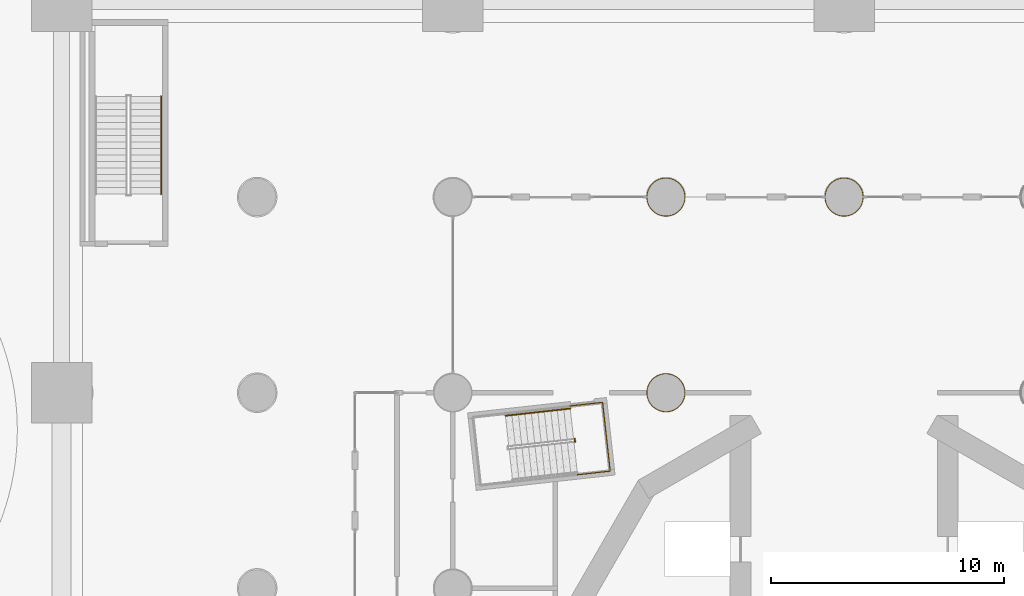
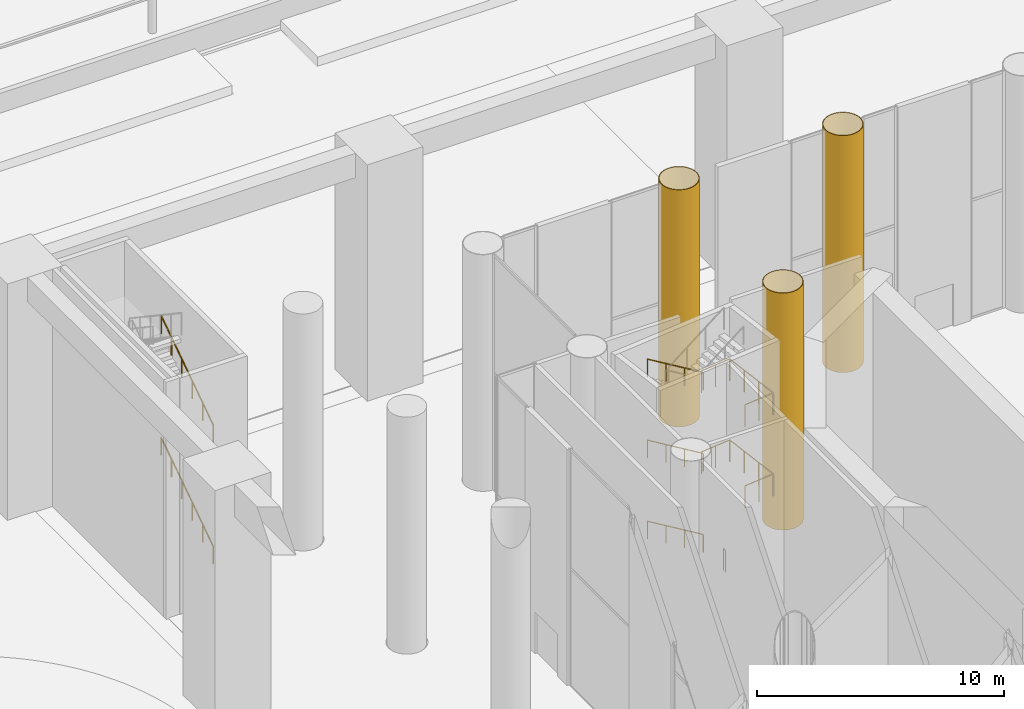
# One storey, part 42 of 52: 8 railings, 3 coverings.
"""IFC4 building model written with IfcOpenShell, lengths in metres."""

from ifc_helpers import new_model, si_unit, direction, frame, origin, origin_2d, place, context, subcontext, project, spatial, polyline, circle, outline, extrude, material, layer, layer_set, type_object, element, save


model = new_model("IFC4")

# Units and contexts
model_context = context("Model", 3, precision=1e-05, world=origin(), true_north=direction((0.0, 1.0)))
body_context = subcontext(model_context, "Body", "Model", "MODEL_VIEW")
ifc_project = project(units=[si_unit("LENGTHUNIT", "METRE"), si_unit("AREAUNIT", "SQUARE_METRE"), si_unit("VOLUMEUNIT", "CUBIC_METRE"), si_unit("PLANEANGLEUNIT", "RADIAN"), si_unit("MASSUNIT", "GRAM", prefix="KILO")], contexts=[model_context])

# Site, building, storey
site_placement = place(None, origin())
site = spatial("IfcSite", under=ifc_project, at=site_placement, CompositionType="ELEMENT")
building_placement = place(site_placement, origin())
building = spatial("IfcBuilding", under=site, at=building_placement, Name="Cantera Rosa Tower", CompositionType="ELEMENT")
storey_placement = place(building_placement, origin())
storey = spatial("IfcBuildingStorey", under=building, at=storey_placement, Name="L00", CompositionType="ELEMENT", Elevation=0.0)

# Coverings
ifc_material_1 = material(Name="Plaster")
ifc_layer = layer(ifc_material_1, 0.030029296875)
ifc_layer_set = layer_set([ifc_layer], Name="Column casing 30")
covering_type = type_object("IfcCoveringType", Name="Column casing 30", PredefinedType="CLADDING", material=ifc_layer_set)
covering_1_placement = place(storey_placement, origin())
element("IfcCovering", 1, at=covering_1_placement, inside=storey, type_object=covering_type, Name="Column casing L00-009", PredefinedType="CLADDING", context=body_context, shape_type="SweptSolid", body=[
    extrude(outline(polyline([(-6.823974609375, 12.5185546875), (-6.820068359375, 12.60009765625), (-6.823974609375, 12.681396484375), (-6.8359375, 12.761962890625), (-6.855712890625, 12.8408203125), (-6.88330078125, 12.91748046875), (-6.91796875, 12.9912109375), (-6.9599609375, 13.06103515625), (-7.00830078125, 13.12646484375), (-7.06298828125, 13.18701171875), (-7.12353515625, 13.24169921875), (-7.18896484375, 13.2900390625), (-7.2587890625, 13.33203125), (-7.33251953125, 13.36669921875), (-7.4091796875, 13.394287109375), (-7.488037109375, 13.4140625), (-7.568603515625, 13.426025390625), (-7.64990234375, 13.429931640625), (-7.7314453125, 13.426025390625), (-7.81201171875, 13.4140625), (-7.890869140625, 13.394287109375), (-7.967529296875, 13.36669921875), (-8.041259765625, 13.33203125), (-8.111083984375, 13.2900390625), (-8.176513671875, 13.24169921875), (-8.23681640625, 13.18701171875), (-8.29150390625, 13.12646484375), (-8.340087890625, 13.06103515625), (-8.382080078125, 12.9912109375), (-8.416748046875, 12.91748046875), (-8.4443359375, 12.8408203125), (-8.464111328125, 12.761962890625), (-8.47607421875, 12.681396484375), (-8.47998046875, 12.60009765625), (-8.47607421875, 12.5185546875), (-8.464111328125, 12.43798828125), (-8.4443359375, 12.359130859375), (-8.416748046875, 12.282470703125), (-8.382080078125, 12.208740234375), (-8.340087890625, 12.138916015625), (-8.29150390625, 12.073486328125), (-8.23681640625, 12.01318359375), (-8.176513671875, 11.95849609375), (-8.111083984375, 11.909912109375), (-8.041259765625, 11.867919921875), (-7.967529296875, 11.833251953125), (-7.890869140625, 11.8056640625), (-7.81201171875, 11.785888671875), (-7.7314453125, 11.77392578125), (-7.64990234375, 11.77001953125), (-7.568603515625, 11.77392578125), (-7.488037109375, 11.785888671875), (-7.4091796875, 11.8056640625), (-7.33251953125, 11.833251953125), (-7.2587890625, 11.867919921875), (-7.18896484375, 11.909912109375), (-7.12353515625, 11.95849609375), (-7.06298828125, 12.01318359375), (-7.00830078125, 12.073486328125), (-6.9599609375, 12.138916015625), (-6.91796875, 12.208740234375), (-6.88330078125, 12.282470703125), (-6.855712890625, 12.359130859375), (-6.8359375, 12.43798828125), (-6.823974609375, 12.5185546875)]), holes=[polyline([(-6.85400390625, 12.678466796875), (-6.865478515625, 12.756103515625), (-6.884521484375, 12.832275390625), (-6.910888671875, 12.906005859375), (-6.944580078125, 12.97705078125), (-6.98486328125, 13.04443359375), (-7.031494140625, 13.107421875), (-7.084228515625, 13.165771484375), (-7.142578125, 13.218505859375), (-7.20556640625, 13.26513671875), (-7.27294921875, 13.305419921875), (-7.343994140625, 13.339111328125), (-7.417724609375, 13.365478515625), (-7.493896484375, 13.384521484375), (-7.571533203125, 13.39599609375), (-7.64990234375, 13.39990234375), (-7.728515625, 13.39599609375), (-7.80615234375, 13.384521484375), (-7.882080078125, 13.365478515625), (-7.9560546875, 13.339111328125), (-8.027099609375, 13.305419921875), (-8.094482421875, 13.26513671875), (-8.157470703125, 13.218505859375), (-8.2158203125, 13.165771484375), (-8.268310546875, 13.107421875), (-8.315185546875, 13.04443359375), (-8.35546875, 12.97705078125), (-8.38916015625, 12.906005859375), (-8.41552734375, 12.832275390625), (-8.4345703125, 12.756103515625), (-8.446044921875, 12.678466796875), (-8.449951171875, 12.60009765625), (-8.446044921875, 12.521484375), (-8.4345703125, 12.44384765625), (-8.41552734375, 12.367919921875), (-8.38916015625, 12.2939453125), (-8.35546875, 12.222900390625), (-8.315185546875, 12.155517578125), (-8.268310546875, 12.092529296875), (-8.2158203125, 12.0341796875), (-8.157470703125, 11.981689453125), (-8.094482421875, 11.934814453125), (-8.027099609375, 11.89453125), (-7.9560546875, 11.86083984375), (-7.882080078125, 11.83447265625), (-7.80615234375, 11.8154296875), (-7.728515625, 11.803955078125), (-7.64990234375, 11.800048828125), (-7.571533203125, 11.803955078125), (-7.493896484375, 11.8154296875), (-7.417724609375, 11.83447265625), (-7.343994140625, 11.86083984375), (-7.27294921875, 11.89453125), (-7.20556640625, 11.934814453125), (-7.142578125, 11.981689453125), (-7.084228515625, 12.0341796875), (-7.031494140625, 12.092529296875), (-6.98486328125, 12.155517578125), (-6.944580078125, 12.222900390625), (-6.910888671875, 12.2939453125), (-6.884521484375, 12.367919921875), (-6.865478515625, 12.44384765625), (-6.85400390625, 12.521484375), (-6.85009765625, 12.60009765625), (-6.85400390625, 12.678466796875)])]), origin(), (0.0, 0.0, 1.0), 11.699951171875),
])
covering_2_placement = place(storey_placement, origin())
element("IfcCovering", 2, at=covering_2_placement, inside=storey, type_object=covering_type, Name="Column casing L00-010", PredefinedType="CLADDING", context=body_context, shape_type="SweptSolid", body=[
    extrude(outline(polyline([(-6.823974609375, 20.918701171875), (-6.820068359375, 21.0), (-6.823974609375, 21.081298828125), (-6.8359375, 21.161865234375), (-6.855712890625, 21.240966796875), (-6.88330078125, 21.317626953125), (-6.91796875, 21.391357421875), (-6.9599609375, 21.461181640625), (-7.00830078125, 21.526611328125), (-7.06298828125, 21.5869140625), (-7.12353515625, 21.6416015625), (-7.18896484375, 21.690185546875), (-7.2587890625, 21.73193359375), (-7.33251953125, 21.766845703125), (-7.4091796875, 21.794189453125), (-7.488037109375, 21.814208984375), (-7.568603515625, 21.825927734375), (-7.64990234375, 21.830078125), (-7.7314453125, 21.825927734375), (-7.81201171875, 21.814208984375), (-7.890869140625, 21.794189453125), (-7.967529296875, 21.766845703125), (-8.041259765625, 21.73193359375), (-8.111083984375, 21.690185546875), (-8.176513671875, 21.6416015625), (-8.23681640625, 21.5869140625), (-8.29150390625, 21.526611328125), (-8.340087890625, 21.461181640625), (-8.382080078125, 21.391357421875), (-8.416748046875, 21.317626953125), (-8.4443359375, 21.240966796875), (-8.464111328125, 21.161865234375), (-8.47607421875, 21.081298828125), (-8.47998046875, 21.0), (-8.47607421875, 20.918701171875), (-8.464111328125, 20.838134765625), (-8.4443359375, 20.759033203125), (-8.416748046875, 20.682373046875), (-8.382080078125, 20.608642578125), (-8.340087890625, 20.538818359375), (-8.29150390625, 20.473388671875), (-8.23681640625, 20.4130859375), (-8.176513671875, 20.3583984375), (-8.111083984375, 20.309814453125), (-8.041259765625, 20.26806640625), (-7.967529296875, 20.233154296875), (-7.890869140625, 20.205810546875), (-7.81201171875, 20.185791015625), (-7.7314453125, 20.174072265625), (-7.64990234375, 20.169921875), (-7.568603515625, 20.174072265625), (-7.488037109375, 20.185791015625), (-7.4091796875, 20.205810546875), (-7.33251953125, 20.233154296875), (-7.2587890625, 20.26806640625), (-7.18896484375, 20.309814453125), (-7.12353515625, 20.3583984375), (-7.06298828125, 20.4130859375), (-7.00830078125, 20.473388671875), (-6.9599609375, 20.538818359375), (-6.91796875, 20.608642578125), (-6.88330078125, 20.682373046875), (-6.855712890625, 20.759033203125), (-6.8359375, 20.838134765625), (-6.823974609375, 20.918701171875)]), holes=[polyline([(-6.85400390625, 21.078369140625), (-6.865478515625, 21.156005859375), (-6.884521484375, 21.232177734375), (-6.910888671875, 21.30615234375), (-6.944580078125, 21.377197265625), (-6.98486328125, 21.444580078125), (-7.031494140625, 21.507568359375), (-7.084228515625, 21.565673828125), (-7.142578125, 21.618408203125), (-7.20556640625, 21.665283203125), (-7.27294921875, 21.70556640625), (-7.343994140625, 21.739013671875), (-7.417724609375, 21.765625), (-7.493896484375, 21.78466796875), (-7.571533203125, 21.796142578125), (-7.64990234375, 21.800048828125), (-7.728515625, 21.796142578125), (-7.80615234375, 21.78466796875), (-7.882080078125, 21.765625), (-7.9560546875, 21.739013671875), (-8.027099609375, 21.70556640625), (-8.094482421875, 21.665283203125), (-8.157470703125, 21.618408203125), (-8.2158203125, 21.565673828125), (-8.268310546875, 21.507568359375), (-8.315185546875, 21.444580078125), (-8.35546875, 21.377197265625), (-8.38916015625, 21.30615234375), (-8.41552734375, 21.232177734375), (-8.4345703125, 21.156005859375), (-8.446044921875, 21.078369140625), (-8.449951171875, 21.0), (-8.446044921875, 20.921630859375), (-8.4345703125, 20.843994140625), (-8.41552734375, 20.767822265625), (-8.38916015625, 20.69384765625), (-8.35546875, 20.622802734375), (-8.315185546875, 20.555419921875), (-8.268310546875, 20.492431640625), (-8.2158203125, 20.434326171875), (-8.157470703125, 20.381591796875), (-8.094482421875, 20.334716796875), (-8.027099609375, 20.29443359375), (-7.9560546875, 20.260986328125), (-7.882080078125, 20.234375), (-7.80615234375, 20.21533203125), (-7.728515625, 20.203857421875), (-7.64990234375, 20.199951171875), (-7.571533203125, 20.203857421875), (-7.493896484375, 20.21533203125), (-7.417724609375, 20.234375), (-7.343994140625, 20.260986328125), (-7.27294921875, 20.29443359375), (-7.20556640625, 20.334716796875), (-7.142578125, 20.381591796875), (-7.084228515625, 20.434326171875), (-7.031494140625, 20.492431640625), (-6.98486328125, 20.555419921875), (-6.944580078125, 20.622802734375), (-6.910888671875, 20.69384765625), (-6.884521484375, 20.767822265625), (-6.865478515625, 20.843994140625), (-6.85400390625, 20.921630859375), (-6.85009765625, 21.0), (-6.85400390625, 21.078369140625)])]), origin(), (0.0, 0.0, 1.0), 11.699951171875),
])
covering_3_placement = place(storey_placement, origin())
element("IfcCovering", 3, at=covering_3_placement, inside=storey, type_object=covering_type, Name="Column casing L00-012", PredefinedType="CLADDING", context=body_context, shape_type="SweptSolid", body=[
    extrude(outline(polyline([(0.825927734375, 20.918701171875), (0.830078125, 21.0), (0.825927734375, 21.081298828125), (0.814208984375, 21.161865234375), (0.794189453125, 21.240966796875), (0.766845703125, 21.317626953125), (0.73193359375, 21.391357421875), (0.690185546875, 21.461181640625), (0.6416015625, 21.526611328125), (0.5869140625, 21.5869140625), (0.526611328125, 21.6416015625), (0.461181640625, 21.690185546875), (0.391357421875, 21.73193359375), (0.317626953125, 21.766845703125), (0.240966796875, 21.794189453125), (0.161865234375, 21.814208984375), (0.081298828125, 21.825927734375), (0.0, 21.830078125), (-0.081298828125, 21.825927734375), (-0.161865234375, 21.814208984375), (-0.240966796875, 21.794189453125), (-0.317626953125, 21.766845703125), (-0.391357421875, 21.73193359375), (-0.461181640625, 21.690185546875), (-0.526611328125, 21.6416015625), (-0.5869140625, 21.5869140625), (-0.6416015625, 21.526611328125), (-0.690185546875, 21.461181640625), (-0.73193359375, 21.391357421875), (-0.766845703125, 21.317626953125), (-0.794189453125, 21.240966796875), (-0.814208984375, 21.161865234375), (-0.825927734375, 21.081298828125), (-0.830078125, 21.0), (-0.825927734375, 20.918701171875), (-0.814208984375, 20.838134765625), (-0.794189453125, 20.759033203125), (-0.766845703125, 20.682373046875), (-0.73193359375, 20.608642578125), (-0.690185546875, 20.538818359375), (-0.6416015625, 20.473388671875), (-0.5869140625, 20.4130859375), (-0.526611328125, 20.3583984375), (-0.461181640625, 20.309814453125), (-0.391357421875, 20.26806640625), (-0.317626953125, 20.233154296875), (-0.240966796875, 20.205810546875), (-0.161865234375, 20.185791015625), (-0.081298828125, 20.174072265625), (0.0, 20.169921875), (0.081298828125, 20.174072265625), (0.161865234375, 20.185791015625), (0.240966796875, 20.205810546875), (0.317626953125, 20.233154296875), (0.391357421875, 20.26806640625), (0.461181640625, 20.309814453125), (0.526611328125, 20.3583984375), (0.5869140625, 20.4130859375), (0.6416015625, 20.473388671875), (0.690185546875, 20.538818359375), (0.73193359375, 20.608642578125), (0.766845703125, 20.682373046875), (0.794189453125, 20.759033203125), (0.814208984375, 20.838134765625), (0.825927734375, 20.918701171875)]), holes=[polyline([(0.796142578125, 21.078369140625), (0.78466796875, 21.156005859375), (0.765625, 21.232177734375), (0.739013671875, 21.30615234375), (0.70556640625, 21.377197265625), (0.665283203125, 21.444580078125), (0.618408203125, 21.507568359375), (0.565673828125, 21.565673828125), (0.507568359375, 21.618408203125), (0.444580078125, 21.665283203125), (0.377197265625, 21.70556640625), (0.30615234375, 21.739013671875), (0.232177734375, 21.765625), (0.156005859375, 21.78466796875), (0.078369140625, 21.796142578125), (0.0, 21.800048828125), (-0.078369140625, 21.796142578125), (-0.156005859375, 21.78466796875), (-0.232177734375, 21.765625), (-0.30615234375, 21.739013671875), (-0.377197265625, 21.70556640625), (-0.444580078125, 21.665283203125), (-0.507568359375, 21.618408203125), (-0.565673828125, 21.565673828125), (-0.618408203125, 21.507568359375), (-0.665283203125, 21.444580078125), (-0.70556640625, 21.377197265625), (-0.739013671875, 21.30615234375), (-0.765625, 21.232177734375), (-0.78466796875, 21.156005859375), (-0.796142578125, 21.078369140625), (-0.800048828125, 21.0), (-0.796142578125, 20.921630859375), (-0.78466796875, 20.843994140625), (-0.765625, 20.767822265625), (-0.739013671875, 20.69384765625), (-0.70556640625, 20.622802734375), (-0.665283203125, 20.555419921875), (-0.618408203125, 20.492431640625), (-0.565673828125, 20.434326171875), (-0.507568359375, 20.381591796875), (-0.444580078125, 20.334716796875), (-0.377197265625, 20.29443359375), (-0.30615234375, 20.260986328125), (-0.232177734375, 20.234375), (-0.156005859375, 20.21533203125), (-0.078369140625, 20.203857421875), (0.0, 20.199951171875), (0.078369140625, 20.203857421875), (0.156005859375, 20.21533203125), (0.232177734375, 20.234375), (0.30615234375, 20.260986328125), (0.377197265625, 20.29443359375), (0.444580078125, 20.334716796875), (0.507568359375, 20.381591796875), (0.565673828125, 20.434326171875), (0.618408203125, 20.492431640625), (0.665283203125, 20.555419921875), (0.70556640625, 20.622802734375), (0.739013671875, 20.69384765625), (0.765625, 20.767822265625), (0.78466796875, 20.843994140625), (0.796142578125, 20.921630859375), (0.800048828125, 21.0), (0.796142578125, 21.078369140625)])]), origin(), (0.0, 0.0, 1.0), 11.699951171875),
])

# Railings
ifc_material_2 = material(Name="Steel S355J2 (EN 10025-2)", Category="steel")
railing_type_1 = type_object("IfcRailingType", Name="STAIR GUARD 1100", PredefinedType="GUARDRAIL", material=ifc_material_2)
railing_placement = place(storey_placement, frame((-11.567138671875, 10.634521484375, 0.0)))
element("IfcRailing", 4, at=railing_placement, inside=storey, type_object=railing_type_1, Name="L00 ST-12 stair guard 7", PredefinedType="GUARDRAIL", context=body_context, shape_type="SweptSolid", body=[
    extrude(circle(Radius=0.02392578125, at=origin_2d()), frame((0.0, 0.0, 1.076171875), z_axis=(0.110610055588, -0.993863881828, 0.0), x_axis=(0.993863881828, 0.110610055588, 0.0)), (0.0, 0.0, 1.0), 0.150146484375),
    extrude(circle(Radius=0.02099609375, at=origin_2d()), origin(), (0.0, 0.0, 1.0), 1.052001953125),
    extrude(circle(Radius=0.02099609375, at=origin_2d()), frame((0.0166015625, -0.149169921875, 0.0)), (0.0, 0.0, 1.0), 1.052001953125),
])
for number, where, name in (
    (5, (-11.7841796875, 12.029052734375, 4.0), "L00 ST-12 stair guard 10"),
    (6, (-11.7841796875, 12.029052734375, 8.0), "L00 ST-12 stair guard 12"),
):
    element("IfcRailing", number, at=place(storey_placement, frame(where)), inside=storey, type_object=railing_type_1, Name=name, PredefinedType="GUARDRAIL", context=body_context, shape_type="SweptSolid", body=[
        extrude(circle(Radius=0.02392578125, at=origin_2d()), frame((0.0, 0.0, 1.076171875), z_axis=(0.993887921413, 0.110393838913, 0.0), x_axis=(-0.110393838913, 0.993887921413, 0.0)), (0.0, 0.0, 1.0), 1.422119140625),
        extrude(circle(Radius=0.02392578125, at=origin_2d()), frame((1.413330078125, 0.156982421875, 1.076171875), z_axis=(0.11023303584, -0.99390576908, 0.0), x_axis=(0.99390576908, 0.11023303584, 0.0)), (0.0, 0.0, 1.0), 2.969970703125),
        extrude(circle(Radius=0.02392578125, at=origin_2d()), frame((1.74072265625, -2.794921875, 1.076171875), z_axis=(-0.993885828579, -0.110412679298, 0.0), x_axis=(0.110412679298, -0.993885828579, 0.0)), (0.0, 0.0, 1.0), 1.421875),
        extrude(circle(Radius=0.02099609375, at=origin_2d()), origin(), (0.0, 0.0, 1.0), 1.052001953125),
        extrude(circle(Radius=0.02099609375, at=origin_2d()), frame((0.70654296875, 0.07861328125, 0.0)), (0.0, 0.0, 1.0), 1.052001953125),
        extrude(circle(Radius=0.02099609375, at=origin_2d()), frame((1.413330078125, 0.156982421875, 0.0)), (0.0, 0.0, 1.0), 1.052001953125),
        extrude(circle(Radius=0.02099609375, at=origin_2d()), frame((1.5224609375, -0.826904296875, 0.0)), (0.0, 0.0, 1.0), 1.052001953125),
        extrude(circle(Radius=0.02099609375, at=origin_2d()), frame((1.631591796875, -1.81103515625, 0.0)), (0.0, 0.0, 1.0), 1.052001953125),
        extrude(circle(Radius=0.02099609375, at=origin_2d()), frame((1.74072265625, -2.794921875, 0.0)), (0.0, 0.0, 1.0), 1.052001953125),
        extrude(circle(Radius=0.02099609375, at=origin_2d()), frame((1.0341796875, -2.87353515625, 0.0)), (0.0, 0.0, 1.0), 1.052001953125),
        extrude(circle(Radius=0.02099609375, at=origin_2d()), frame((0.32763671875, -2.951904296875, 0.0)), (0.0, 0.0, 1.0), 1.052001953125),
    ])
ifc_material_3 = material(Name="Steel S355J2 (EN 10025-2)", Category="steel")
railing_type_2 = type_object("IfcRailingType", Name="STAIR HANDRAIL 900", PredefinedType="HANDRAIL", material=ifc_material_3)
for number, where, name in (
    (7, (-11.76025390625, 11.921142578125, 0.181884765625), "L00 ST-12 stair handrail 1"),
    (8, (-11.76025390625, 11.921142578125, 4.181884765625), "L00 ST-12 stair handrail 3"),
    (9, (-11.76025390625, 11.921142578125, 8.181884765625), "L00 ST-12 stair handrail 5"),
):
    element("IfcRailing", number, at=place(storey_placement, frame(where)), inside=storey, type_object=railing_type_2, Name=name, PredefinedType="HANDRAIL", context=body_context, shape_type="SweptSolid", body=[
        extrude(circle(Radius=0.02392578125, at=origin_2d()), frame((0.0, 0.0, 0.8759765625), z_axis=(-0.833582415484, -0.092579641899, 0.544581827187), x_axis=(0.110383677283, -0.99388905004, 0.0)), (0.0, 0.0, 1.0), 3.338623046875),
        extrude(circle(Radius=0.02099609375, at=origin_2d()), origin(), (0.0, 0.0, 1.0), 0.851806640625),
        extrude(circle(Radius=0.02099609375, at=origin_2d()), frame((-0.927734375, -0.10302734375, 0.60595703125)), (0.0, 0.0, 1.0), 0.851806640625),
        extrude(circle(Radius=0.02099609375, at=origin_2d()), frame((-1.855224609375, -0.2060546875, 1.212158203125)), (0.0, 0.0, 1.0), 0.851806640625),
        extrude(circle(Radius=0.02099609375, at=origin_2d()), frame((-2.782958984375, -0.30908203125, 1.818115234375)), (0.0, 0.0, 1.0), 0.851806640625),
    ])
for number, where, name in (
    (10, (-29.324951171875, 21.125, 0.1875), "L00 ST-NW stair handrail 1"),
    (11, (-29.324951171875, 21.125, 6.1875), "L00 ST-NW stair handrail 3"),
):
    element("IfcRailing", number, at=place(storey_placement, frame(where)), inside=storey, type_object=railing_type_2, Name=name, PredefinedType="HANDRAIL", context=body_context, shape_type="SweptSolid", body=[
        extrude(circle(Radius=0.02392578125, at=origin_2d()), frame((0.0, 0.0, 0.8759765625), z_axis=(0.0, 0.830904186295, 0.556415522067), x_axis=(-1.0, 0.0, 0.0)), (0.0, 0.0, 1.0), 5.0546875),
        extrude(circle(Radius=0.02099609375, at=origin_2d()), origin(), (0.0, 0.0, 1.0), 0.851806640625),
        extrude(circle(Radius=0.02099609375, at=origin_2d()), frame((0.0, 0.840087890625, 0.5625)), (0.0, 0.0, 1.0), 0.851806640625),
        extrude(circle(Radius=0.02099609375, at=origin_2d()), frame((0.0, 1.679931640625, 1.125)), (0.0, 0.0, 1.0), 0.851806640625),
        extrude(circle(Radius=0.02099609375, at=origin_2d()), frame((0.0, 2.52001953125, 1.6875)), (0.0, 0.0, 1.0), 0.851806640625),
        extrude(circle(Radius=0.02099609375, at=origin_2d()), frame((0.0, 3.35986328125, 2.25)), (0.0, 0.0, 1.0), 0.851806640625),
        extrude(circle(Radius=0.02099609375, at=origin_2d()), frame((0.0, 4.199951171875, 2.8125)), (0.0, 0.0, 1.0), 0.851806640625),
    ])

save(model, "model.ifc")
